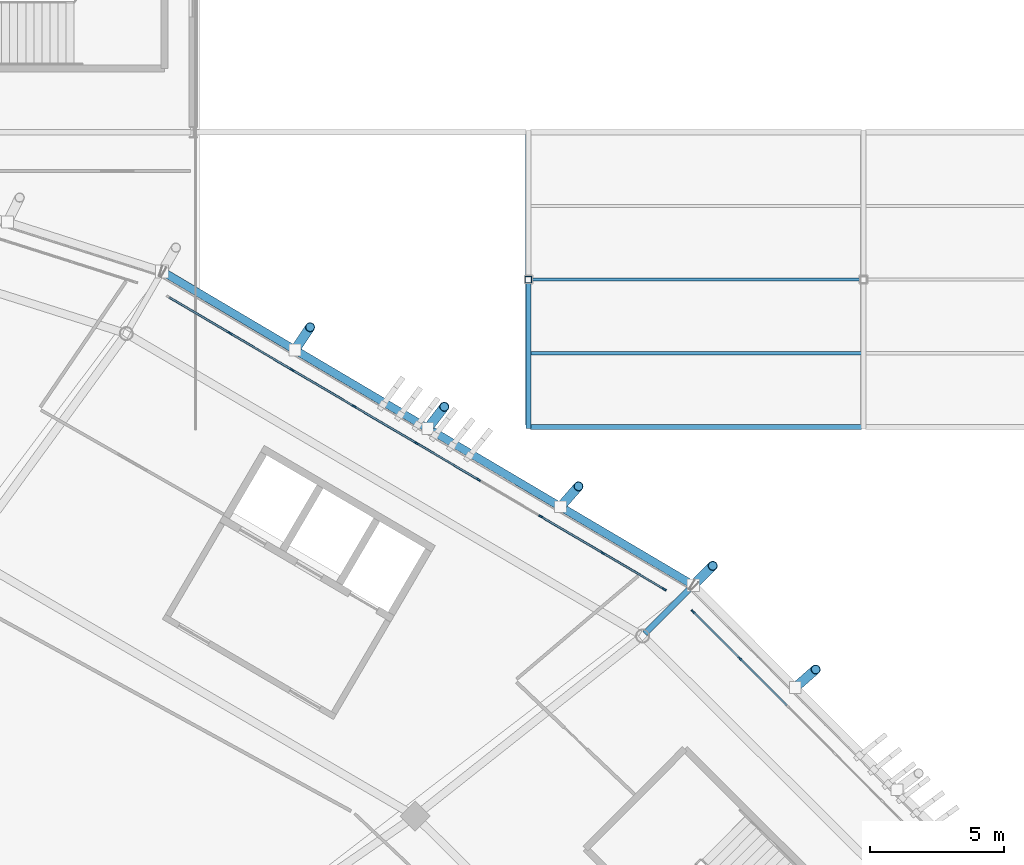
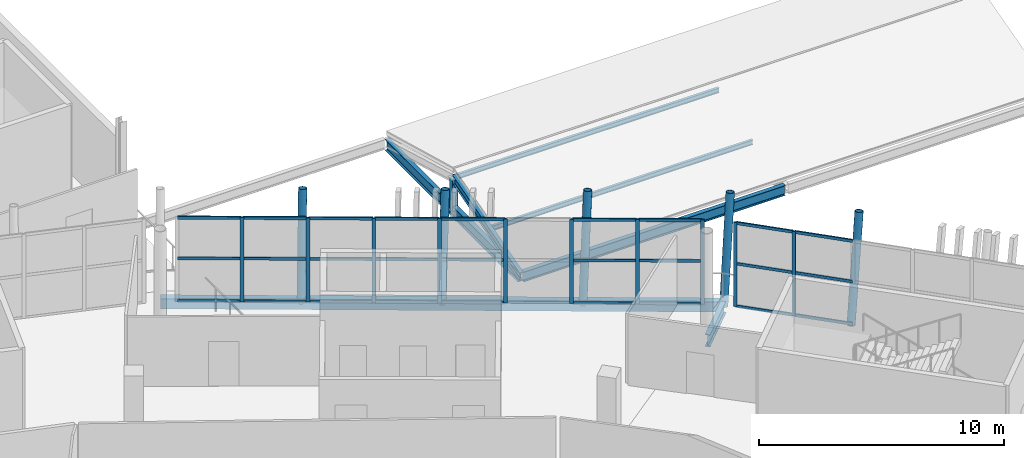
# One storey, part 85 of 179: 46 members, 4 beams, 2 elements without a shape of their own.
"""IFC4 building model written with IfcOpenShell, lengths in metres."""

import ifcopenshell
import ifcopenshell.guid

model = None  # the IFC model being written
_history = None  # IfcOwnerHistory: only IFC2X3 demands one
_inside = {}  # id of a spatial element -> (the spatial element, [elements in it])
_under = {}  # id of a project, library or spatial element -> (it, [spatial elements below it])
_declared = {}  # id of a project -> (the project, [libraries it declares])
_typed = {}  # id of a type object -> (the type object, [elements of that type])
_made_of = {}  # id of a material, layer set ... -> (it, [elements and type objects made of it])


def new_model(schema):
    """Start an empty IFC model of exactly this schema.

    Asked for "IFC4X3", IfcOpenShell would pick the latest addendum, in which some entities
    have other attributes; the version numbers below select the first issue.
    IFC2X3 requires an IfcOwnerHistory on every rooted entity: one is made here for all.
    """
    global model, _history
    if schema == "IFC4X3":
        model = ifcopenshell.file(schema_version=(4, 3, 0, 0))
    else:
        model = ifcopenshell.file(schema=schema)
    _inside.clear()
    _under.clear()
    _declared.clear()
    _typed.clear()
    _made_of.clear()
    _history = None
    if model.schema == "IFC2X3":
        org = make("IfcOrganization", Name="unknown")
        user = make(
            "IfcPersonAndOrganization",
            ThePerson=make("IfcPerson", FamilyName="unknown"),
            TheOrganization=org,
        )
        app = make(
            "IfcApplication",
            ApplicationDeveloper=org,
            Version="unknown",
            ApplicationFullName="unknown",
            ApplicationIdentifier="unknown",
        )
        _history = make(
            "IfcOwnerHistory",
            OwningUser=user,
            OwningApplication=app,
            ChangeAction="ADDED",
            CreationDate=0,
        )
    return model


def make(cls, **values):
    """One entity of the class cls with the attributes given. An attribute that is None is left unset."""
    return model.create_entity(
        cls, **{name: value for name, value in values.items() if value is not None}
    )


def rooted(cls, **values):
    """An entity with a GlobalId (a new one), such as an element, a storey or a relation."""
    return make(cls, GlobalId=ifcopenshell.guid.new(), OwnerHistory=_history, **values)


def si_unit(unit_type, name, prefix=None):
    """IfcSIUnit, for example si_unit("LENGTHUNIT", "METRE", prefix="MILLI")."""
    return make("IfcSIUnit", UnitType=unit_type, Prefix=prefix, Name=name)


def assignment(units):
    """IfcUnitAssignment: the units of a project."""
    return None if units is None else make("IfcUnitAssignment", Units=units)


def point(xyz):
    """IfcCartesianPoint."""
    return None if xyz is None else make("IfcCartesianPoint", Coordinates=xyz)


def direction(xyz):
    """IfcDirection."""
    return None if xyz is None else make("IfcDirection", DirectionRatios=xyz)


def frame(location, z_axis=None, x_axis=None):
    """IfcAxis2Placement3D, a coordinate frame: its origin and axes. An axis left out is left unset."""
    return make(
        "IfcAxis2Placement3D",
        Location=point(location),
        Axis=direction(z_axis),
        RefDirection=direction(x_axis),
    )


def frame_2d(location, x_axis=None):
    """IfcAxis2Placement2D, a coordinate frame in the plane: its origin and x axis."""
    return make(
        "IfcAxis2Placement2D", Location=point(location), RefDirection=direction(x_axis)
    )


def origin():
    """The frame at (0, 0, 0) with its axes left unset."""
    return frame((0.0, 0.0, 0.0))


def origin_2d():
    """The frame at (0, 0) in the plane with its x axis left unset."""
    return frame_2d((0.0, 0.0))


def place(relative_to, where):
    """IfcLocalPlacement: puts the frame where relative to a parent placement (None: the world)."""
    return make(
        "IfcLocalPlacement", PlacementRelTo=relative_to, RelativePlacement=where
    )


def context(
    kind, dimensions, precision=None, world=None, true_north=None, identifier=None
):
    """IfcGeometricRepresentationContext, for example the 3D "Model" context."""
    return make(
        "IfcGeometricRepresentationContext",
        ContextIdentifier=identifier,
        ContextType=kind,
        CoordinateSpaceDimension=dimensions,
        Precision=precision,
        WorldCoordinateSystem=world,
        TrueNorth=true_north,
    )


def subcontext(parent, identifier, kind, view, scale=None):
    """IfcGeometricRepresentationSubContext, for example "Body" below "Model"."""
    return make(
        "IfcGeometricRepresentationSubContext",
        ContextIdentifier=identifier,
        ContextType=kind,
        ParentContext=parent,
        TargetScale=scale,
        TargetView=view,
    )


def project(units=None, contexts=None):
    """IfcProject with its units and contexts."""
    return rooted(
        "IfcProject",
        Name="project",
        RepresentationContexts=contexts,
        UnitsInContext=assignment(units),
    )


def spatial(cls, under=None, at=None, **own):
    """A site, building, storey or space (cls), placed at a placement, below another one or the project."""
    s = rooted(cls, ObjectPlacement=at, **own)
    if under is not None:
        _under.setdefault(under.id(), (under, []))[1].append(s)
    return s


def profile(cls, at=None, kind="AREA", **sizes):
    """A parametric profile (cls). Its sizes go by their IFC names, for example OverallWidth=200.0."""
    return make(cls, ProfileType=kind, Position=at, **sizes)


def rectangle(**sizes):
    """IfcRectangleProfileDef."""
    return profile("IfcRectangleProfileDef", **sizes)


def hollow_rectangle(**sizes):
    """IfcRectangleHollowProfileDef."""
    return profile("IfcRectangleHollowProfileDef", **sizes)


def hollow_circle(**sizes):
    """IfcCircleHollowProfileDef."""
    return profile("IfcCircleHollowProfileDef", **sizes)


def i_section(**sizes):
    """IfcIShapeProfileDef."""
    return profile("IfcIShapeProfileDef", **sizes)


def extrude(swept, where, along, depth):
    """IfcExtrudedAreaSolid: the profile swept, set in the frame where, extruded along a direction by depth."""
    return make(
        "IfcExtrudedAreaSolid",
        SweptArea=swept,
        Position=where,
        ExtrudedDirection=direction(along),
        Depth=depth,
    )


def shape(context_of_items, identifier, shape_type, items):
    """IfcShapeRepresentation: the items that make up one representation, for example the "Body"."""
    return make(
        "IfcShapeRepresentation",
        ContextOfItems=context_of_items,
        RepresentationIdentifier=identifier,
        RepresentationType=shape_type,
        Items=items,
    )


def material(Name=None, Category=None):
    """IfcMaterial."""
    return make("IfcMaterial", Name=Name, Category=Category)


def material_profile(
    of_material, cross_section, Name=None, Category=None, Priority=None
):
    """IfcMaterialProfile: a cross section and its material."""
    return make(
        "IfcMaterialProfile",
        Name=Name,
        Material=of_material,
        Profile=cross_section,
        Priority=Priority,
        Category=Category,
    )


def profile_set(profiles, Name=None, composite=None):
    """IfcMaterialProfileSet."""
    return make(
        "IfcMaterialProfileSet",
        Name=Name,
        MaterialProfiles=profiles,
        CompositeProfile=composite,
    )


def made_of(thing, what):
    """Note that an element or type object is made of a material, layer set ...; save() writes the relation."""
    if what is not None:
        _made_of.setdefault(what.id(), (what, []))[1].append(thing)
    return thing


def type_object(cls, material=None, **own):
    """A type object (cls), such as IfcWallType, which elements share."""
    return made_of(rooted(cls, **own), material)


def element(
    cls,
    number,
    at=None,
    inside=None,
    cuts=None,
    type_object=None,
    material=None,
    context=None,
    identifier="Body",
    shape_type=None,
    held_by="IfcProductDefinitionShape",
    body=None,
    shapes=None,
    **own,
):
    """One element of the class cls, such as IfcWall. Its Tag is "e" and its number.

    at: its placement. inside: the storey or other place that contains it. cuts: it is an
    opening in that element (IfcRelVoidsElement). A single representation is given by context,
    identifier, shape_type and body (its items); several are given by shapes. held_by: the class
    of the entity that holds the representations. save() writes the other relations.
    """
    e = rooted(cls, Tag="e%d" % number, ObjectPlacement=at, **own)
    if body is not None:
        shapes = [shape(context, identifier, shape_type, body)]
    if shapes is not None:
        e.Representation = make(held_by, Representations=shapes)
    if inside is not None:
        _inside.setdefault(inside.id(), (inside, []))[1].append(e)
    if cuts is not None:
        rooted(
            "IfcRelVoidsElement", RelatingBuildingElement=cuts, RelatedOpeningElement=e
        )
    if type_object is not None:
        _typed.setdefault(type_object.id(), (type_object, []))[1].append(e)
    return made_of(e, material)


def aggregate(whole, parts):
    """IfcRelAggregates: a whole, such as a stair, and the parts it consists of."""
    return rooted("IfcRelAggregates", RelatingObject=whole, RelatedObjects=parts)


def save(model, path):
    """Write the relations noted so far, then the file.

    IfcRelAggregates (storeys below a building ...), IfcRelContainedInSpatialStructure (elements
    in a storey), IfcRelDefinesByType, IfcRelAssociatesMaterial and IfcRelDeclares: one each for
    every whole, place, type object, material and project.
    """
    for whole, parts in _under.values():
        aggregate(whole, parts)
    for where, things in _inside.values():
        rooted(
            "IfcRelContainedInSpatialStructure",
            RelatedElements=things,
            RelatingStructure=where,
        )
    for kind, things in _typed.values():
        rooted("IfcRelDefinesByType", RelatedObjects=things, RelatingType=kind)
    for what, things in _made_of.values():
        rooted("IfcRelAssociatesMaterial", RelatedObjects=things, RelatingMaterial=what)
    for by, libraries in _declared.values():
        rooted("IfcRelDeclares", RelatingContext=by, RelatedDefinitions=libraries)
    model.write(path)


model = new_model("IFC4")

# Units and contexts
model_context = context("Model", 3, precision=1e-05, world=origin(), true_north=direction((0.0, 1.0)))
body_context = subcontext(model_context, "Body", "Model", "MODEL_VIEW")
ifc_project = project(units=[si_unit("LENGTHUNIT", "METRE"), si_unit("AREAUNIT", "SQUARE_METRE"), si_unit("VOLUMEUNIT", "CUBIC_METRE"), si_unit("PLANEANGLEUNIT", "RADIAN"), si_unit("MASSUNIT", "GRAM", prefix="KILO")], contexts=[model_context])

# Site, building, storey
site_placement = place(None, origin())
site = spatial("IfcSite", under=ifc_project, at=site_placement, CompositionType="ELEMENT")
building_placement = place(site_placement, origin())
building = spatial("IfcBuilding", under=site, at=building_placement, Name="Zlatoyarsky Gate Stadium", CompositionType="ELEMENT")
storey_placement = place(building_placement, frame((0.0, 0.0, 10.60009765625)))
storey = spatial("IfcBuildingStorey", under=building, at=storey_placement, Name="L02", CompositionType="ELEMENT", Elevation=10.60009765625)

# Curtain wall, members
ifc_material_1 = material(Name="Thermally broken anodised aluminium curtain wall", Category="aluminium")
curtain_wall_type = type_object("IfcCurtainWallType", Name="UNITISED HOSPITALITY GLAZING L02", PredefinedType="USERDEFINED", material=ifc_material_1)
curtain_wall_1_placement = place(storey_placement, origin())
curtain_wall_1 = element("IfcCurtainWall", 1, at=curtain_wall_1_placement, inside=storey, type_object=curtain_wall_type, Name="Curtain wall CW-L02-02", ObjectType="UNITISED GLAZING", PredefinedType="USERDEFINED")
ifc_material_2 = material(Name="Anodised aluminium 6063-T6", Category="aluminium")
ifc_material_profile_1 = material_profile(ifc_material_2, rectangle(XDim=0.06494140625, YDim=0.159912109375, at=origin_2d()), Name="ALU 65X160")
ifc_profile_set_1 = profile_set([ifc_material_profile_1], Name="Anodised aluminium 6063-T6")
member_type_1 = type_object("IfcMemberType", Name="ALUMINIUM MULLION 65X160", PredefinedType="MULLION", material=ifc_profile_set_1)
member_1_placement = place(storey_placement, frame((180.38916015625, 129.36767578125, 0.0), z_axis=(0.0, 0.0, 1.0), x_axis=(-0.707587678066, -0.706625557031, 0.0)))
member_1 = element("IfcMember", 2, at=member_1_placement, type_object=member_type_1, Name="CW-UG2 mullion 8", PredefinedType="MULLION", context=body_context, shape_type="SweptSolid", body=[
    extrude(rectangle(XDim=0.06494140625, YDim=0.159912109375, at=origin_2d()), origin(), (0.0, 0.0, 1.0), 4.199951171875),
])
member_2_placement = place(storey_placement, frame((178.640380859375, 131.118896484375, 0.0), z_axis=(0.0, 0.0, 1.0), x_axis=(-0.707587678066, -0.706625557031, 0.0)))
member_2 = element("IfcMember", 3, at=member_2_placement, type_object=member_type_1, Name="CW-UG2 mullion 9", PredefinedType="MULLION", context=body_context, shape_type="SweptSolid", body=[
    extrude(rectangle(XDim=0.06494140625, YDim=0.159912109375, at=origin_2d()), origin(), (0.0, 0.0, 1.0), 4.199951171875),
])

curtain_wall_2_placement = place(storey_placement, origin())
curtain_wall_2 = element("IfcCurtainWall", 4, at=curtain_wall_2_placement, inside=storey, type_object=curtain_wall_type, Name="Curtain wall CW-L02-03", ObjectType="UNITISED GLAZING", PredefinedType="USERDEFINED")
member_3_placement = place(storey_placement, frame((177.5703125, 131.948486328125, 0.0), z_axis=(0.0, 0.0, 1.0), x_axis=(-0.507884392586, -0.861425239802, 0.0)))
member_3 = element("IfcMember", 5, at=member_3_placement, type_object=member_type_1, Name="CW-UG2 mullion 1", PredefinedType="MULLION", context=body_context, shape_type="SweptSolid", body=[
    extrude(rectangle(XDim=0.06494140625, YDim=0.159912109375, at=origin_2d()), origin(), (0.0, 0.0, 1.0), 4.199951171875),
])
member_4_placement = place(storey_placement, frame((175.279296875, 133.299072265625, 0.0), z_axis=(0.0, 0.0, 1.0), x_axis=(-0.507884392586, -0.861425239802, 0.0)))
member_4 = element("IfcMember", 6, at=member_4_placement, type_object=member_type_1, Name="CW-UG2 mullion 2", PredefinedType="MULLION", context=body_context, shape_type="SweptSolid", body=[
    extrude(rectangle(XDim=0.06494140625, YDim=0.159912109375, at=origin_2d()), origin(), (0.0, 0.0, 1.0), 4.199951171875),
])
member_5_placement = place(storey_placement, frame((172.960693359375, 134.666259765625, 0.0), z_axis=(0.0, 0.0, 1.0), x_axis=(-0.507884392586, -0.861425239802, 0.0)))
member_5 = element("IfcMember", 7, at=member_5_placement, type_object=member_type_1, Name="CW-UG2 mullion 3", PredefinedType="MULLION", context=body_context, shape_type="SweptSolid", body=[
    extrude(rectangle(XDim=0.06494140625, YDim=0.159912109375, at=origin_2d()), origin(), (0.0, 0.0, 1.0), 4.199951171875),
])
member_6_placement = place(storey_placement, frame((170.641845703125, 136.033203125, 0.0), z_axis=(0.0, 0.0, 1.0), x_axis=(-0.507884392586, -0.861425239802, 0.0)))
member_6 = element("IfcMember", 8, at=member_6_placement, type_object=member_type_1, Name="CW-UG2 mullion 4", PredefinedType="MULLION", context=body_context, shape_type="SweptSolid", body=[
    extrude(rectangle(XDim=0.06494140625, YDim=0.159912109375, at=origin_2d()), origin(), (0.0, 0.0, 1.0), 4.199951171875),
])
member_7_placement = place(storey_placement, frame((168.322998046875, 137.400390625, 0.0), z_axis=(0.0, 0.0, 1.0), x_axis=(-0.507884392586, -0.861425239802, 0.0)))
member_7 = element("IfcMember", 9, at=member_7_placement, type_object=member_type_1, Name="CW-UG2 mullion 5", PredefinedType="MULLION", context=body_context, shape_type="SweptSolid", body=[
    extrude(rectangle(XDim=0.06494140625, YDim=0.159912109375, at=origin_2d()), origin(), (0.0, 0.0, 1.0), 4.199951171875),
])
member_8_placement = place(storey_placement, frame((166.004150390625, 138.767578125, 0.0), z_axis=(0.0, 0.0, 1.0), x_axis=(-0.507884392586, -0.861425239802, 0.0)))
member_8 = element("IfcMember", 10, at=member_8_placement, type_object=member_type_1, Name="CW-UG2 mullion 6", PredefinedType="MULLION", context=body_context, shape_type="SweptSolid", body=[
    extrude(rectangle(XDim=0.06494140625, YDim=0.159912109375, at=origin_2d()), origin(), (0.0, 0.0, 1.0), 4.199951171875),
])
member_9_placement = place(storey_placement, frame((163.685546875, 140.134765625, 0.0), z_axis=(0.0, 0.0, 1.0), x_axis=(-0.507884392586, -0.861425239802, 0.0)))
member_9 = element("IfcMember", 11, at=member_9_placement, type_object=member_type_1, Name="CW-UG2 mullion 7", PredefinedType="MULLION", context=body_context, shape_type="SweptSolid", body=[
    extrude(rectangle(XDim=0.06494140625, YDim=0.159912109375, at=origin_2d()), origin(), (0.0, 0.0, 1.0), 4.199951171875),
])
member_10_placement = place(storey_placement, frame((161.36669921875, 141.501708984375, 0.0), z_axis=(0.0, 0.0, 1.0), x_axis=(-0.507884392586, -0.861425239802, 0.0)))
member_10 = element("IfcMember", 12, at=member_10_placement, type_object=member_type_1, Name="CW-UG2 mullion 8", PredefinedType="MULLION", context=body_context, shape_type="SweptSolid", body=[
    extrude(rectangle(XDim=0.06494140625, YDim=0.159912109375, at=origin_2d()), origin(), (0.0, 0.0, 1.0), 4.199951171875),
])

# Member
ifc_material_profile_2 = material_profile(ifc_material_2, rectangle(XDim=0.06494140625, YDim=0.139892578125, at=origin_2d()), Name="ALU 65X140")
ifc_profile_set_2 = profile_set([ifc_material_profile_2], Name="Anodised aluminium 6063-T6")
member_type_2 = type_object("IfcMemberType", Name="ALUMINIUM TRANSOM 65X140", PredefinedType="USERDEFINED", material=ifc_profile_set_2)
member_11_placement = place(storey_placement, frame((182.13818359375, 127.616455078125, 0.032470703125), z_axis=(-0.706656856545, 0.707556419728, 0.0), x_axis=(-0.707556419728, -0.706656856545, 0.0)))
member_11 = element("IfcMember", 13, at=member_11_placement, type_object=member_type_2, Name="CW-UG2 transom 7.1", ObjectType="TRANSOM", PredefinedType="USERDEFINED", context=body_context, shape_type="SweptSolid", body=[
    extrude(rectangle(XDim=0.06494140625, YDim=0.139892578125, at=origin_2d()), origin(), (0.0, 0.0, 1.0), 2.442626953125),
])

member_12_placement = place(storey_placement, frame((182.13818359375, 127.616455078125, 2.14990234375), z_axis=(-0.706656856545, 0.707556419728, 0.0), x_axis=(-0.707556419728, -0.706656856545, 0.0)))
member_12 = element("IfcMember", 14, at=member_12_placement, type_object=member_type_2, Name="CW-UG2 transom 7.2", ObjectType="TRANSOM", PredefinedType="USERDEFINED", context=body_context, shape_type="SweptSolid", body=[
    extrude(rectangle(XDim=0.06494140625, YDim=0.139892578125, at=origin_2d()), origin(), (0.0, 0.0, 1.0), 2.442626953125),
])

member_13_placement = place(storey_placement, frame((182.13818359375, 127.616455078125, 4.16748046875), z_axis=(-0.706656856545, 0.707556419728, 0.0), x_axis=(-0.707556419728, -0.706656856545, 0.0)))
member_13 = element("IfcMember", 15, at=member_13_placement, type_object=member_type_2, Name="CW-UG2 transom 7.3", ObjectType="TRANSOM", PredefinedType="USERDEFINED", context=body_context, shape_type="SweptSolid", body=[
    extrude(rectangle(XDim=0.06494140625, YDim=0.139892578125, at=origin_2d()), origin(), (0.0, 0.0, 1.0), 2.442626953125),
])

member_14_placement = place(storey_placement, frame((180.3662109375, 129.390625, 0.032470703125), z_axis=(-0.706600076415, 0.707613123119, 0.0), x_axis=(-0.707613123119, -0.706600076415, 0.0)))
member_14 = element("IfcMember", 16, at=member_14_placement, type_object=member_type_2, Name="CW-UG2 transom 8.1", ObjectType="TRANSOM", PredefinedType="USERDEFINED", context=body_context, shape_type="SweptSolid", body=[
    extrude(rectangle(XDim=0.06494140625, YDim=0.139892578125, at=origin_2d()), origin(), (0.0, 0.0, 1.0), 2.409912109375),
])

member_15_placement = place(storey_placement, frame((180.3662109375, 129.390625, 2.14990234375), z_axis=(-0.706600076415, 0.707613123119, 0.0), x_axis=(-0.707613123119, -0.706600076415, 0.0)))
member_15 = element("IfcMember", 17, at=member_15_placement, type_object=member_type_2, Name="CW-UG2 transom 8.2", ObjectType="TRANSOM", PredefinedType="USERDEFINED", context=body_context, shape_type="SweptSolid", body=[
    extrude(rectangle(XDim=0.06494140625, YDim=0.139892578125, at=origin_2d()), origin(), (0.0, 0.0, 1.0), 2.409912109375),
])

member_16_placement = place(storey_placement, frame((180.3662109375, 129.390625, 4.16748046875), z_axis=(-0.706600076415, 0.707613123119, 0.0), x_axis=(-0.707613123119, -0.706600076415, 0.0)))
member_16 = element("IfcMember", 18, at=member_16_placement, type_object=member_type_2, Name="CW-UG2 transom 8.3", ObjectType="TRANSOM", PredefinedType="USERDEFINED", context=body_context, shape_type="SweptSolid", body=[
    extrude(rectangle(XDim=0.06494140625, YDim=0.139892578125, at=origin_2d()), origin(), (0.0, 0.0, 1.0), 2.409912109375),
])

aggregate(curtain_wall_1, [member_1, member_2, member_11, member_12, member_13, member_14, member_15, member_16])

member_17_placement = place(storey_placement, frame((177.542236328125, 131.96484375, 0.032470703125), z_axis=(-0.861428189178, 0.507879390102, 0.0), x_axis=(-0.507879390102, -0.861428189178, 0.0)))
member_17 = element("IfcMember", 19, at=member_17_placement, type_object=member_type_2, Name="CW-UG2 transom 1.1", ObjectType="TRANSOM", PredefinedType="USERDEFINED", context=body_context, shape_type="SweptSolid", body=[
    extrude(rectangle(XDim=0.06494140625, YDim=0.139892578125, at=origin_2d()), origin(), (0.0, 0.0, 1.0), 2.594482421875),
])

member_18_placement = place(storey_placement, frame((177.542236328125, 131.96484375, 2.14990234375), z_axis=(-0.861428189178, 0.507879390102, 0.0), x_axis=(-0.507879390102, -0.861428189178, 0.0)))
member_18 = element("IfcMember", 20, at=member_18_placement, type_object=member_type_2, Name="CW-UG2 transom 1.2", ObjectType="TRANSOM", PredefinedType="USERDEFINED", context=body_context, shape_type="SweptSolid", body=[
    extrude(rectangle(XDim=0.06494140625, YDim=0.139892578125, at=origin_2d()), origin(), (0.0, 0.0, 1.0), 2.594482421875),
])

member_19_placement = place(storey_placement, frame((177.542236328125, 131.96484375, 4.16748046875), z_axis=(-0.861428189178, 0.507879390102, 0.0), x_axis=(-0.507879390102, -0.861428189178, 0.0)))
member_19 = element("IfcMember", 21, at=member_19_placement, type_object=member_type_2, Name="CW-UG2 transom 1.3", ObjectType="TRANSOM", PredefinedType="USERDEFINED", context=body_context, shape_type="SweptSolid", body=[
    extrude(rectangle(XDim=0.06494140625, YDim=0.139892578125, at=origin_2d()), origin(), (0.0, 0.0, 1.0), 2.594482421875),
])

member_20_placement = place(storey_placement, frame((175.25146484375, 133.3154296875, 0.032470703125), z_axis=(-0.861420118469, 0.507893078804, 0.0), x_axis=(-0.507893078804, -0.861420118469, 0.0)))
member_20 = element("IfcMember", 22, at=member_20_placement, type_object=member_type_2, Name="CW-UG2 transom 2.1", ObjectType="TRANSOM", PredefinedType="USERDEFINED", context=body_context, shape_type="SweptSolid", body=[
    extrude(rectangle(XDim=0.06494140625, YDim=0.139892578125, at=origin_2d()), origin(), (0.0, 0.0, 1.0), 2.626953125),
])

member_21_placement = place(storey_placement, frame((175.25146484375, 133.3154296875, 2.14990234375), z_axis=(-0.861420118469, 0.507893078804, 0.0), x_axis=(-0.507893078804, -0.861420118469, 0.0)))
member_21 = element("IfcMember", 23, at=member_21_placement, type_object=member_type_2, Name="CW-UG2 transom 2.2", ObjectType="TRANSOM", PredefinedType="USERDEFINED", context=body_context, shape_type="SweptSolid", body=[
    extrude(rectangle(XDim=0.06494140625, YDim=0.139892578125, at=origin_2d()), origin(), (0.0, 0.0, 1.0), 2.626953125),
])

member_22_placement = place(storey_placement, frame((175.25146484375, 133.3154296875, 4.16748046875), z_axis=(-0.861420118469, 0.507893078804, 0.0), x_axis=(-0.507893078804, -0.861420118469, 0.0)))
member_22 = element("IfcMember", 24, at=member_22_placement, type_object=member_type_2, Name="CW-UG2 transom 2.3", ObjectType="TRANSOM", PredefinedType="USERDEFINED", context=body_context, shape_type="SweptSolid", body=[
    extrude(rectangle(XDim=0.06494140625, YDim=0.139892578125, at=origin_2d()), origin(), (0.0, 0.0, 1.0), 2.626953125),
])

member_23_placement = place(storey_placement, frame((170.61376953125, 136.0498046875, 0.032470703125), z_axis=(-0.861436807081, 0.507864772755, 0.0), x_axis=(-0.507864772755, -0.861436807081, 0.0)))
member_23 = element("IfcMember", 25, at=member_23_placement, type_object=member_type_2, Name="CW-UG2 transom 4.1", ObjectType="TRANSOM", PredefinedType="USERDEFINED", context=body_context, shape_type="SweptSolid", body=[
    extrude(rectangle(XDim=0.06494140625, YDim=0.139892578125, at=origin_2d()), origin(), (0.0, 0.0, 1.0), 2.626708984375),
])

member_24_placement = place(storey_placement, frame((170.61376953125, 136.0498046875, 2.14990234375), z_axis=(-0.861436807081, 0.507864772755, 0.0), x_axis=(-0.507864772755, -0.861436807081, 0.0)))
member_24 = element("IfcMember", 26, at=member_24_placement, type_object=member_type_2, Name="CW-UG2 transom 4.2", ObjectType="TRANSOM", PredefinedType="USERDEFINED", context=body_context, shape_type="SweptSolid", body=[
    extrude(rectangle(XDim=0.06494140625, YDim=0.139892578125, at=origin_2d()), origin(), (0.0, 0.0, 1.0), 2.626708984375),
])

member_25_placement = place(storey_placement, frame((170.61376953125, 136.0498046875, 4.16748046875), z_axis=(-0.861436807081, 0.507864772755, 0.0), x_axis=(-0.507864772755, -0.861436807081, 0.0)))
member_25 = element("IfcMember", 27, at=member_25_placement, type_object=member_type_2, Name="CW-UG2 transom 4.3", ObjectType="TRANSOM", PredefinedType="USERDEFINED", context=body_context, shape_type="SweptSolid", body=[
    extrude(rectangle(XDim=0.06494140625, YDim=0.139892578125, at=origin_2d()), origin(), (0.0, 0.0, 1.0), 2.626708984375),
])

member_26_placement = place(storey_placement, frame((168.295166015625, 137.4169921875, 0.032470703125), z_axis=(-0.86146077782, 0.507824111556, 0.0), x_axis=(-0.507824111556, -0.86146077782, 0.0)))
member_26 = element("IfcMember", 28, at=member_26_placement, type_object=member_type_2, Name="CW-UG2 transom 5.1", ObjectType="TRANSOM", PredefinedType="USERDEFINED", context=body_context, shape_type="SweptSolid", body=[
    extrude(rectangle(XDim=0.06494140625, YDim=0.139892578125, at=origin_2d()), origin(), (0.0, 0.0, 1.0), 2.626953125),
])

member_27_placement = place(storey_placement, frame((168.295166015625, 137.4169921875, 2.14990234375), z_axis=(-0.86146077782, 0.507824111556, 0.0), x_axis=(-0.507824111556, -0.86146077782, 0.0)))
member_27 = element("IfcMember", 29, at=member_27_placement, type_object=member_type_2, Name="CW-UG2 transom 5.2", ObjectType="TRANSOM", PredefinedType="USERDEFINED", context=body_context, shape_type="SweptSolid", body=[
    extrude(rectangle(XDim=0.06494140625, YDim=0.139892578125, at=origin_2d()), origin(), (0.0, 0.0, 1.0), 2.626953125),
])

member_28_placement = place(storey_placement, frame((168.295166015625, 137.4169921875, 4.16748046875), z_axis=(-0.86146077782, 0.507824111556, 0.0), x_axis=(-0.507824111556, -0.86146077782, 0.0)))
member_28 = element("IfcMember", 30, at=member_28_placement, type_object=member_type_2, Name="CW-UG2 transom 5.3", ObjectType="TRANSOM", PredefinedType="USERDEFINED", context=body_context, shape_type="SweptSolid", body=[
    extrude(rectangle(XDim=0.06494140625, YDim=0.139892578125, at=origin_2d()), origin(), (0.0, 0.0, 1.0), 2.626953125),
])

member_29_placement = place(storey_placement, frame((165.976318359375, 138.783935546875, 0.032470703125), z_axis=(-0.861420118469, 0.507893078804, 0.0), x_axis=(-0.507893078804, -0.861420118469, 0.0)))
member_29 = element("IfcMember", 31, at=member_29_placement, type_object=member_type_2, Name="CW-UG2 transom 6.1", ObjectType="TRANSOM", PredefinedType="USERDEFINED", context=body_context, shape_type="SweptSolid", body=[
    extrude(rectangle(XDim=0.06494140625, YDim=0.139892578125, at=origin_2d()), origin(), (0.0, 0.0, 1.0), 2.626953125),
])

member_30_placement = place(storey_placement, frame((165.976318359375, 138.783935546875, 2.14990234375), z_axis=(-0.861420118469, 0.507893078804, 0.0), x_axis=(-0.507893078804, -0.861420118469, 0.0)))
member_30 = element("IfcMember", 32, at=member_30_placement, type_object=member_type_2, Name="CW-UG2 transom 6.2", ObjectType="TRANSOM", PredefinedType="USERDEFINED", context=body_context, shape_type="SweptSolid", body=[
    extrude(rectangle(XDim=0.06494140625, YDim=0.139892578125, at=origin_2d()), origin(), (0.0, 0.0, 1.0), 2.626953125),
])

member_31_placement = place(storey_placement, frame((165.976318359375, 138.783935546875, 4.16748046875), z_axis=(-0.861420118469, 0.507893078804, 0.0), x_axis=(-0.507893078804, -0.861420118469, 0.0)))
member_31 = element("IfcMember", 33, at=member_31_placement, type_object=member_type_2, Name="CW-UG2 transom 6.3", ObjectType="TRANSOM", PredefinedType="USERDEFINED", context=body_context, shape_type="SweptSolid", body=[
    extrude(rectangle(XDim=0.06494140625, YDim=0.139892578125, at=origin_2d()), origin(), (0.0, 0.0, 1.0), 2.626953125),
])

member_32_placement = place(storey_placement, frame((163.657470703125, 140.151123046875, 0.032470703125), z_axis=(-0.861396142351, 0.507933741686, 0.0), x_axis=(-0.507933741686, -0.861396142351, 0.0)))
member_32 = element("IfcMember", 34, at=member_32_placement, type_object=member_type_2, Name="CW-UG2 transom 7.1", ObjectType="TRANSOM", PredefinedType="USERDEFINED", context=body_context, shape_type="SweptSolid", body=[
    extrude(rectangle(XDim=0.06494140625, YDim=0.139892578125, at=origin_2d()), origin(), (0.0, 0.0, 1.0), 2.626708984375),
])

member_33_placement = place(storey_placement, frame((163.657470703125, 140.151123046875, 2.14990234375), z_axis=(-0.861396142351, 0.507933741686, 0.0), x_axis=(-0.507933741686, -0.861396142351, 0.0)))
member_33 = element("IfcMember", 35, at=member_33_placement, type_object=member_type_2, Name="CW-UG2 transom 7.2", ObjectType="TRANSOM", PredefinedType="USERDEFINED", context=body_context, shape_type="SweptSolid", body=[
    extrude(rectangle(XDim=0.06494140625, YDim=0.139892578125, at=origin_2d()), origin(), (0.0, 0.0, 1.0), 2.626708984375),
])

member_34_placement = place(storey_placement, frame((163.657470703125, 140.151123046875, 4.16748046875), z_axis=(-0.861396142351, 0.507933741686, 0.0), x_axis=(-0.507933741686, -0.861396142351, 0.0)))
member_34 = element("IfcMember", 36, at=member_34_placement, type_object=member_type_2, Name="CW-UG2 transom 7.3", ObjectType="TRANSOM", PredefinedType="USERDEFINED", context=body_context, shape_type="SweptSolid", body=[
    extrude(rectangle(XDim=0.06494140625, YDim=0.139892578125, at=origin_2d()), origin(), (0.0, 0.0, 1.0), 2.626708984375),
])

member_35_placement = place(storey_placement, frame((161.338623046875, 141.518310546875, 0.032470703125), z_axis=(-0.861403912896, 0.50792056352, 0.0), x_axis=(-0.50792056352, -0.861403912896, 0.0)))
member_35 = element("IfcMember", 37, at=member_35_placement, type_object=member_type_2, Name="CW-UG2 transom 8.1", ObjectType="TRANSOM", PredefinedType="USERDEFINED", context=body_context, shape_type="SweptSolid", body=[
    extrude(rectangle(XDim=0.06494140625, YDim=0.139892578125, at=origin_2d()), origin(), (0.0, 0.0, 1.0), 2.59423828125),
])

member_36_placement = place(storey_placement, frame((161.338623046875, 141.518310546875, 2.14990234375), z_axis=(-0.861403912896, 0.50792056352, 0.0), x_axis=(-0.50792056352, -0.861403912896, 0.0)))
member_36 = element("IfcMember", 38, at=member_36_placement, type_object=member_type_2, Name="CW-UG2 transom 8.2", ObjectType="TRANSOM", PredefinedType="USERDEFINED", context=body_context, shape_type="SweptSolid", body=[
    extrude(rectangle(XDim=0.06494140625, YDim=0.139892578125, at=origin_2d()), origin(), (0.0, 0.0, 1.0), 2.59423828125),
])

member_37_placement = place(storey_placement, frame((161.338623046875, 141.518310546875, 4.16748046875), z_axis=(-0.861403912896, 0.50792056352, 0.0), x_axis=(-0.50792056352, -0.861403912896, 0.0)))
member_37 = element("IfcMember", 39, at=member_37_placement, type_object=member_type_2, Name="CW-UG2 transom 8.3", ObjectType="TRANSOM", PredefinedType="USERDEFINED", context=body_context, shape_type="SweptSolid", body=[
    extrude(rectangle(XDim=0.06494140625, YDim=0.139892578125, at=origin_2d()), origin(), (0.0, 0.0, 1.0), 2.59423828125),
])

aggregate(curtain_wall_2, [member_3, member_4, member_5, member_6, member_7, member_8, member_9, member_10, member_17, member_18, member_19, member_20, member_21, member_22, member_23, member_24, member_25, member_26, member_27, member_28, member_29, member_30, member_31, member_32, member_33, member_34, member_35, member_36, member_37])

# Beams
ifc_material_3 = material(Name="Steel S355", Category="steel")
ifc_material_profile_3 = material_profile(ifc_material_3, i_section(OverallWidth=0.219970703125, OverallDepth=0.60009765625, WebThickness=0.011962890625, FlangeThickness=0.01904296875, FilletRadius=0.02392578125, at=origin_2d()), Name="IPE 600")
ifc_profile_set_3 = profile_set([ifc_material_profile_3], Name="Steel S355")
beam_type_1 = type_object("IfcBeamType", Name="STEEL CANTILEVER FLOOR BEAM IPE 600", PredefinedType="BEAM", material=ifc_profile_set_3)
beam_1_placement = place(storey_placement, frame((176.845703125, 130.28955078125, -0.580078125), z_axis=(0.707154540923, 0.707059018224, 0.0), x_axis=(-0.707059018224, 0.707154540923, 0.0)))
element("IfcBeam", 40, at=beam_1_placement, inside=storey, type_object=beam_type_1, Name="Beam B-IPE600 BM-L02-OUT-03", PredefinedType="BEAM", context=body_context, shape_type="SweptSolid", body=[
    extrude(i_section(OverallWidth=0.219970703125, OverallDepth=0.60009765625, WebThickness=0.011962890625, FlangeThickness=0.01904296875, FilletRadius=0.02392578125, at=origin_2d()), origin(), (0.0, 0.0, 1.0), 2.555908203125),
])
ifc_material_profile_4 = material_profile(ifc_material_3, i_section(OverallWidth=0.199951171875, OverallDepth=0.5, WebThickness=0.01025390625, FlangeThickness=0.01611328125, FilletRadius=0.02099609375, at=origin_2d()), Name="IPE 500")
ifc_profile_set_4 = profile_set([ifc_material_profile_4], Name="Steel S355")
beam_type_2 = type_object("IfcBeamType", Name="STEEL FLOOR BEAM IPE 500", PredefinedType="BEAM", material=ifc_profile_set_4)
beam_2_placement = place(storey_placement, frame((172.580078125, 138.0, -0.530029296875), z_axis=(1.0, 0.0, 0.0), x_axis=(0.0, 1.0, 0.0)))
element("IfcBeam", 41, at=beam_2_placement, inside=storey, type_object=beam_type_2, Name="Beam B-IPE500 BM-L02-WGX-15-N", PredefinedType="BEAM", context=body_context, shape_type="SweptSolid", body=[
    extrude(i_section(OverallWidth=0.199951171875, OverallDepth=0.5, WebThickness=0.01025390625, FlangeThickness=0.01611328125, FilletRadius=0.02099609375, at=origin_2d()), origin(), (0.0, 0.0, 1.0), 12.33984375),
])
ifc_material_profile_5 = material_profile(ifc_material_3, i_section(OverallWidth=0.2099609375, OverallDepth=0.550048828125, WebThickness=0.010986328125, FlangeThickness=0.01708984375, FilletRadius=0.02392578125, at=origin_2d()), Name="IPE 550")
ifc_profile_set_5 = profile_set([ifc_material_profile_5], Name="Steel S355")
beam_type_3 = type_object("IfcBeamType", Name="STEEL FLOOR BEAM IPE 550", PredefinedType="BEAM", material=ifc_profile_set_5)
beam_3_placement = place(storey_placement, frame((172.5, 138.080078125, -0.55517578125), z_axis=(0.0, 1.0, 0.0), x_axis=(-1.0, 0.0, 0.0)))
element("IfcBeam", 42, at=beam_3_placement, inside=storey, type_object=beam_type_3, Name="Beam B-IPE550 BM-L02-WGY-15-N", PredefinedType="BEAM", context=body_context, shape_type="SweptSolid", body=[
    extrude(i_section(OverallWidth=0.2099609375, OverallDepth=0.550048828125, WebThickness=0.010986328125, FlangeThickness=0.01708984375, FilletRadius=0.02392578125, at=origin_2d()), origin(), (0.0, 0.0, 1.0), 10.83984375),
])

# Members
ifc_material_profile_6 = material_profile(ifc_material_3, hollow_circle(Radius=0.177734375, WallThickness=0.02001953125, at=origin_2d()), Name="CHS 355.6X20")
ifc_profile_set_6 = profile_set([ifc_material_profile_6], Name="Steel S355")
member_type_3 = type_object("IfcMemberType", Name="STEEL LEANING RIB RING STRUT CHS 355.6X20", PredefinedType="STRUT", material=ifc_profile_set_6)
member_38_placement = place(storey_placement, frame((178.653076171875, 132.0966796875, -0.580078125), z_axis=(0.142200329334, 0.142200329334, 0.979570381685), x_axis=(-0.707106781187, 0.707106781187, 0.0)))
element("IfcMember", 43, at=member_38_placement, inside=storey, type_object=member_type_3, Name="Leaning ring strut 03 L02 to L03", PredefinedType="STRUT", context=body_context, shape_type="SweptSolid", body=[
    extrude(hollow_circle(Radius=0.177734375, WallThickness=0.02001953125, at=origin_2d()), origin(), (0.0, 0.0, 1.0), 5.104248046875),
])
for number, where, z_axis, x_axis, name in (
    (44, (182.454345703125, 128.281982421875, -0.530029296875), (0.150180429646, 0.131808564408, 0.979832812729), (-0.659639578482, 0.751582082343, 0.0), "Outward-leaning bowl louvre fin rib L02 02-3"),
    (45, (173.69921875, 135.023681640625, -0.530029296875), (0.131807617204, 0.150227193474, 0.979825771445), (-0.751686237623, 0.659520886832, 0.0), "Outward-leaning bowl louvre fin rib L02 03-1"),
):
    element("IfcMember", number, at=place(storey_placement, frame(where, z_axis=z_axis, x_axis=x_axis)), inside=storey, type_object=member_type_3, Name=name, PredefinedType="STRUT", context=body_context, shape_type="SweptSolid", body=[
        extrude(hollow_circle(Radius=0.177734375, WallThickness=0.02001953125, at=origin_2d()), origin(), (0.0, 0.0, 1.0), 5.10302734375),
    ])
member_39_placement = place(storey_placement, frame((168.74560546875, 137.950927734375, -0.530029296875), z_axis=(0.121388529954, 0.158230929664, 0.979912137742), x_axis=(-0.793417106394, 0.608678318392, 0.0)))
element("IfcMember", 46, at=member_39_placement, inside=storey, type_object=member_type_3, Name="Outward-leaning bowl louvre fin rib L02 03-2", PredefinedType="STRUT", context=body_context, shape_type="SweptSolid", body=[
    extrude(hollow_circle(Radius=0.177734375, WallThickness=0.02001953125, at=origin_2d()), origin(), (0.0, 0.0, 1.0), 5.1025390625),
])
member_40_placement = place(storey_placement, frame((163.791748046875, 140.878173828125, -0.530029296875), z_axis=(0.110949332058, 0.16616085823, 0.97983713693), x_axis=(-0.831644832177, 0.555307908384, 0.0)))
element("IfcMember", 47, at=member_40_placement, inside=storey, type_object=member_type_3, Name="Outward-leaning bowl louvre fin rib L02 03-3", PredefinedType="STRUT", context=body_context, shape_type="SweptSolid", body=[
    extrude(hollow_circle(Radius=0.177734375, WallThickness=0.02001953125, at=origin_2d()), origin(), (0.0, 0.0, 1.0), 5.102783203125),
])

# Beam
ifc_material_profile_7 = material_profile(ifc_material_3, hollow_rectangle(XDim=0.300048828125, YDim=0.5, WallThickness=0.02001953125, at=origin_2d()), Name="RHS 500X300X20")
ifc_profile_set_7 = profile_set([ifc_material_profile_7], Name="Steel S355")
beam_type_4 = type_object("IfcBeamType", Name="STEEL LOUVRE CARRIER SPANDREL RHS 500X300X20", PredefinedType="SPANDREL", material=ifc_profile_set_7)
beam_4_placement = place(storey_placement, frame((178.635986328125, 132.10693359375, -0.530029296875), z_axis=(-0.860938797481, 0.50870854818, 0.0), x_axis=(-0.50870854818, -0.860938797481, 0.0)))
element("IfcBeam", 48, at=beam_4_placement, inside=storey, type_object=beam_type_4, Name="Beam SP-RHS500 BM-L02-SPD-03", PredefinedType="SPANDREL", context=body_context, shape_type="SweptSolid", body=[
    extrude(hollow_rectangle(XDim=0.300048828125, YDim=0.5, WallThickness=0.02001953125, at=origin_2d()), origin(), (0.0, 0.0, 1.0), 22.975830078125),
])

# Members
ifc_material_profile_8 = material_profile(ifc_material_3, i_section(OverallWidth=0.1201171875, OverallDepth=0.239990234375, WebThickness=0.006103515625, FlangeThickness=0.009765625, FilletRadius=0.014892578125, at=origin_2d()), Name="IPE 240")
ifc_profile_set_8 = profile_set([ifc_material_profile_8], Name="Steel S355")
member_type_4 = type_object("IfcMemberType", Name="STEEL PAVILION ROOF PURLIN IPE 240", PredefinedType="PURLIN", material=ifc_profile_set_8)
for number, where, z_axis, x_axis, name in (
    (49, (172.5, 143.5, 1.06982421875), (1.0, 0.0, 0.0), (0.0, 1.0, 0.0), "V6_NE ridge purlin 1"),
    (50, (172.5, 140.75, 0.14501953125), (1.0, 0.0, 0.0), (0.0, 1.0, 0.0), "V6_NE roof purlin 1S"),
):
    element("IfcMember", number, at=place(storey_placement, frame(where, z_axis=z_axis, x_axis=x_axis)), inside=storey, type_object=member_type_4, Name=name, PredefinedType="PURLIN", context=body_context, shape_type="SweptSolid", body=[
        extrude(i_section(OverallWidth=0.1201171875, OverallDepth=0.239990234375, WebThickness=0.006103515625, FlangeThickness=0.009765625, FilletRadius=0.014892578125, at=origin_2d()), origin(), (0.0, 0.0, 1.0), 12.5),
    ])
ifc_material_profile_9 = material_profile(ifc_material_3, i_section(OverallWidth=0.179931640625, OverallDepth=0.39990234375, WebThickness=0.008544921875, FlangeThickness=0.013427734375, FilletRadius=0.02099609375, at=origin_2d()), Name="IPE 400")
ifc_profile_set_9 = profile_set([ifc_material_profile_9], Name="Steel S355")
member_type_5 = type_object("IfcMemberType", Name="STEEL PAVILION ROOF RAFTER IPE 400", PredefinedType="RAFTER", material=ifc_profile_set_9)
member_41_placement = place(storey_placement, frame((172.5, 138.0, -0.5), z_axis=(0.0, 0.961598006641, 0.274461789005), x_axis=(-1.0, 0.0, 0.0)))
element("IfcMember", 51, at=member_41_placement, inside=storey, type_object=member_type_5, Name="V6_NE roof rafter 1A", PredefinedType="RAFTER", context=body_context, shape_type="SweptSolid", body=[
    extrude(i_section(OverallWidth=0.179931640625, OverallDepth=0.39990234375, WebThickness=0.008544921875, FlangeThickness=0.013427734375, FilletRadius=0.02099609375, at=origin_2d()), origin(), (0.0, 0.0, 1.0), 5.7197265625),
])
ifc_material_profile_10 = material_profile(ifc_material_3, hollow_rectangle(XDim=0.25, YDim=0.25, WallThickness=0.01611328125, at=origin_2d()), Name="SHS 250X250X16")
ifc_profile_set_10 = profile_set([ifc_material_profile_10], Name="Steel S355")
member_type_6 = type_object("IfcMemberType", Name="STEEL PAVILION TRUSS STRUT SHS 250X250X16", PredefinedType="STRUT", material=ifc_profile_set_10)
member_42_placement = place(storey_placement, frame((172.5, 143.5, -0.530029296875), z_axis=(0.0, 0.0, 1.0), x_axis=(1.0, 0.0, 0.0)))
element("IfcMember", 52, at=member_42_placement, inside=storey, type_object=member_type_6, Name="V6_NE king post strut 1", PredefinedType="STRUT", context=body_context, shape_type="SweptSolid", body=[
    extrude(hollow_rectangle(XDim=0.25, YDim=0.25, WallThickness=0.01611328125, at=origin_2d()), origin(), (0.0, 0.0, 1.0), 1.599853515625),
])

save(model, "model.ifc")
